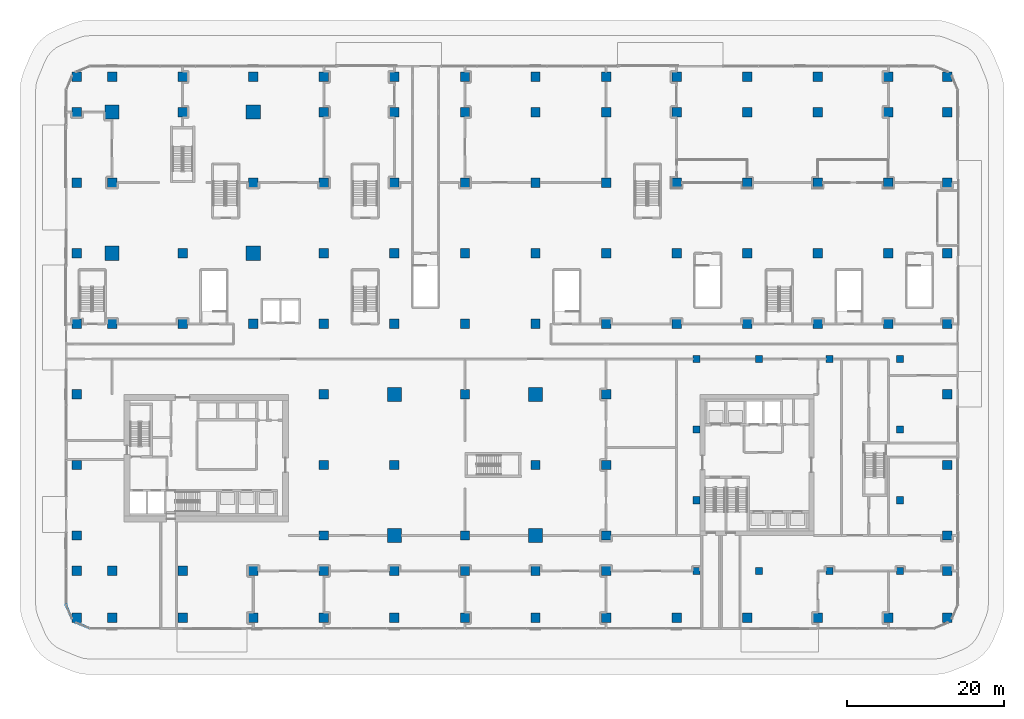
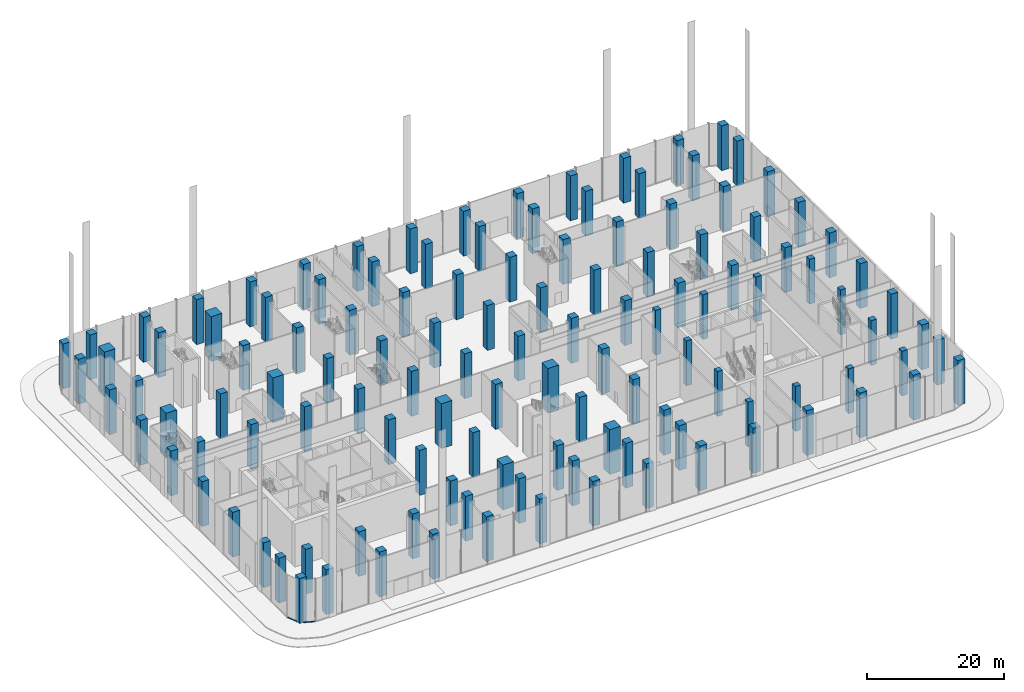
# One storey, part 1 of 42: 125 columns, 2 members, 2 elements without a shape of their own.
"""IFC4 building model written with IfcOpenShell, lengths in metres."""

import ifcopenshell
import ifcopenshell.guid

model = None  # the IFC model being written
_history = None  # IfcOwnerHistory: only IFC2X3 demands one
_inside = {}  # id of a spatial element -> (the spatial element, [elements in it])
_under = {}  # id of a project, library or spatial element -> (it, [spatial elements below it])
_declared = {}  # id of a project -> (the project, [libraries it declares])
_typed = {}  # id of a type object -> (the type object, [elements of that type])
_made_of = {}  # id of a material, layer set ... -> (it, [elements and type objects made of it])


def new_model(schema):
    """Start an empty IFC model of exactly this schema.

    Asked for "IFC4X3", IfcOpenShell would pick the latest addendum, in which some entities
    have other attributes; the version numbers below select the first issue.
    IFC2X3 requires an IfcOwnerHistory on every rooted entity: one is made here for all.
    """
    global model, _history
    if schema == "IFC4X3":
        model = ifcopenshell.file(schema_version=(4, 3, 0, 0))
    else:
        model = ifcopenshell.file(schema=schema)
    _inside.clear()
    _under.clear()
    _declared.clear()
    _typed.clear()
    _made_of.clear()
    _history = None
    if model.schema == "IFC2X3":
        org = make("IfcOrganization", Name="unknown")
        user = make(
            "IfcPersonAndOrganization",
            ThePerson=make("IfcPerson", FamilyName="unknown"),
            TheOrganization=org,
        )
        app = make(
            "IfcApplication",
            ApplicationDeveloper=org,
            Version="unknown",
            ApplicationFullName="unknown",
            ApplicationIdentifier="unknown",
        )
        _history = make(
            "IfcOwnerHistory",
            OwningUser=user,
            OwningApplication=app,
            ChangeAction="ADDED",
            CreationDate=0,
        )
    return model


def make(cls, **values):
    """One entity of the class cls with the attributes given. An attribute that is None is left unset."""
    return model.create_entity(
        cls, **{name: value for name, value in values.items() if value is not None}
    )


def rooted(cls, **values):
    """An entity with a GlobalId (a new one), such as an element, a storey or a relation."""
    return make(cls, GlobalId=ifcopenshell.guid.new(), OwnerHistory=_history, **values)


def si_unit(unit_type, name, prefix=None):
    """IfcSIUnit, for example si_unit("LENGTHUNIT", "METRE", prefix="MILLI")."""
    return make("IfcSIUnit", UnitType=unit_type, Prefix=prefix, Name=name)


def assignment(units):
    """IfcUnitAssignment: the units of a project."""
    return None if units is None else make("IfcUnitAssignment", Units=units)


def point(xyz):
    """IfcCartesianPoint."""
    return None if xyz is None else make("IfcCartesianPoint", Coordinates=xyz)


def direction(xyz):
    """IfcDirection."""
    return None if xyz is None else make("IfcDirection", DirectionRatios=xyz)


def frame(location, z_axis=None, x_axis=None):
    """IfcAxis2Placement3D, a coordinate frame: its origin and axes. An axis left out is left unset."""
    return make(
        "IfcAxis2Placement3D",
        Location=point(location),
        Axis=direction(z_axis),
        RefDirection=direction(x_axis),
    )


def frame_2d(location, x_axis=None):
    """IfcAxis2Placement2D, a coordinate frame in the plane: its origin and x axis."""
    return make(
        "IfcAxis2Placement2D", Location=point(location), RefDirection=direction(x_axis)
    )


def origin():
    """The frame at (0, 0, 0) with its axes left unset."""
    return frame((0.0, 0.0, 0.0))


def origin_2d():
    """The frame at (0, 0) in the plane with its x axis left unset."""
    return frame_2d((0.0, 0.0))


def place(relative_to, where):
    """IfcLocalPlacement: puts the frame where relative to a parent placement (None: the world)."""
    return make(
        "IfcLocalPlacement", PlacementRelTo=relative_to, RelativePlacement=where
    )


def context(
    kind, dimensions, precision=None, world=None, true_north=None, identifier=None
):
    """IfcGeometricRepresentationContext, for example the 3D "Model" context."""
    return make(
        "IfcGeometricRepresentationContext",
        ContextIdentifier=identifier,
        ContextType=kind,
        CoordinateSpaceDimension=dimensions,
        Precision=precision,
        WorldCoordinateSystem=world,
        TrueNorth=true_north,
    )


def subcontext(parent, identifier, kind, view, scale=None):
    """IfcGeometricRepresentationSubContext, for example "Body" below "Model"."""
    return make(
        "IfcGeometricRepresentationSubContext",
        ContextIdentifier=identifier,
        ContextType=kind,
        ParentContext=parent,
        TargetScale=scale,
        TargetView=view,
    )


def project(units=None, contexts=None):
    """IfcProject with its units and contexts."""
    return rooted(
        "IfcProject",
        Name="project",
        RepresentationContexts=contexts,
        UnitsInContext=assignment(units),
    )


def spatial(cls, under=None, at=None, **own):
    """A site, building, storey or space (cls), placed at a placement, below another one or the project."""
    s = rooted(cls, ObjectPlacement=at, **own)
    if under is not None:
        _under.setdefault(under.id(), (under, []))[1].append(s)
    return s


def profile(cls, at=None, kind="AREA", **sizes):
    """A parametric profile (cls). Its sizes go by their IFC names, for example OverallWidth=200.0."""
    return make(cls, ProfileType=kind, Position=at, **sizes)


def rectangle(**sizes):
    """IfcRectangleProfileDef."""
    return profile("IfcRectangleProfileDef", **sizes)


def extrude(swept, where, along, depth):
    """IfcExtrudedAreaSolid: the profile swept, set in the frame where, extruded along a direction by depth."""
    return make(
        "IfcExtrudedAreaSolid",
        SweptArea=swept,
        Position=where,
        ExtrudedDirection=direction(along),
        Depth=depth,
    )


def shape(context_of_items, identifier, shape_type, items):
    """IfcShapeRepresentation: the items that make up one representation, for example the "Body"."""
    return make(
        "IfcShapeRepresentation",
        ContextOfItems=context_of_items,
        RepresentationIdentifier=identifier,
        RepresentationType=shape_type,
        Items=items,
    )


def material(Name=None, Category=None):
    """IfcMaterial."""
    return make("IfcMaterial", Name=Name, Category=Category)


def layer(
    of_material, thickness, ventilated=None, Name=None, Category=None, Priority=None
):
    """IfcMaterialLayer: one layer of a wall or slab, of a material (None: an air gap)."""
    return make(
        "IfcMaterialLayer",
        Material=of_material,
        LayerThickness=thickness,
        IsVentilated=ventilated,
        Name=Name,
        Category=Category,
        Priority=Priority,
    )


def layer_set(layers, Name=None):
    """IfcMaterialLayerSet."""
    return make("IfcMaterialLayerSet", MaterialLayers=layers, LayerSetName=Name)


def material_profile(
    of_material, cross_section, Name=None, Category=None, Priority=None
):
    """IfcMaterialProfile: a cross section and its material."""
    return make(
        "IfcMaterialProfile",
        Name=Name,
        Material=of_material,
        Profile=cross_section,
        Priority=Priority,
        Category=Category,
    )


def profile_set(profiles, Name=None, composite=None):
    """IfcMaterialProfileSet."""
    return make(
        "IfcMaterialProfileSet",
        Name=Name,
        MaterialProfiles=profiles,
        CompositeProfile=composite,
    )


def made_of(thing, what):
    """Note that an element or type object is made of a material, layer set ...; save() writes the relation."""
    if what is not None:
        _made_of.setdefault(what.id(), (what, []))[1].append(thing)
    return thing


def type_object(cls, material=None, **own):
    """A type object (cls), such as IfcWallType, which elements share."""
    return made_of(rooted(cls, **own), material)


def element(
    cls,
    number,
    at=None,
    inside=None,
    cuts=None,
    type_object=None,
    material=None,
    context=None,
    identifier="Body",
    shape_type=None,
    held_by="IfcProductDefinitionShape",
    body=None,
    shapes=None,
    **own,
):
    """One element of the class cls, such as IfcWall. Its Tag is "e" and its number.

    at: its placement. inside: the storey or other place that contains it. cuts: it is an
    opening in that element (IfcRelVoidsElement). A single representation is given by context,
    identifier, shape_type and body (its items); several are given by shapes. held_by: the class
    of the entity that holds the representations. save() writes the other relations.
    """
    e = rooted(cls, Tag="e%d" % number, ObjectPlacement=at, **own)
    if body is not None:
        shapes = [shape(context, identifier, shape_type, body)]
    if shapes is not None:
        e.Representation = make(held_by, Representations=shapes)
    if inside is not None:
        _inside.setdefault(inside.id(), (inside, []))[1].append(e)
    if cuts is not None:
        rooted(
            "IfcRelVoidsElement", RelatingBuildingElement=cuts, RelatedOpeningElement=e
        )
    if type_object is not None:
        _typed.setdefault(type_object.id(), (type_object, []))[1].append(e)
    return made_of(e, material)


def aggregate(whole, parts):
    """IfcRelAggregates: a whole, such as a stair, and the parts it consists of."""
    return rooted("IfcRelAggregates", RelatingObject=whole, RelatedObjects=parts)


def save(model, path):
    """Write the relations noted so far, then the file.

    IfcRelAggregates (storeys below a building ...), IfcRelContainedInSpatialStructure (elements
    in a storey), IfcRelDefinesByType, IfcRelAssociatesMaterial and IfcRelDeclares: one each for
    every whole, place, type object, material and project.
    """
    for whole, parts in _under.values():
        aggregate(whole, parts)
    for where, things in _inside.values():
        rooted(
            "IfcRelContainedInSpatialStructure",
            RelatedElements=things,
            RelatingStructure=where,
        )
    for kind, things in _typed.values():
        rooted("IfcRelDefinesByType", RelatedObjects=things, RelatingType=kind)
    for what, things in _made_of.values():
        rooted("IfcRelAssociatesMaterial", RelatedObjects=things, RelatingMaterial=what)
    for by, libraries in _declared.values():
        rooted("IfcRelDeclares", RelatingContext=by, RelatedDefinitions=libraries)
    model.write(path)


model = new_model("IFC4")

# Units and contexts
model_context = context("Model", 3, precision=1e-05, world=origin(), true_north=direction((0.0, 1.0)))
body_context = subcontext(model_context, "Body", "Model", "MODEL_VIEW")
ifc_project = project(units=[si_unit("LENGTHUNIT", "METRE"), si_unit("AREAUNIT", "SQUARE_METRE"), si_unit("VOLUMEUNIT", "CUBIC_METRE"), si_unit("PLANEANGLEUNIT", "RADIAN"), si_unit("MASSUNIT", "GRAM", prefix="KILO")], contexts=[model_context])

# Site, building, storey
site_placement = place(None, origin())
site = spatial("IfcSite", under=ifc_project, at=site_placement, CompositionType="ELEMENT")
building_placement = place(site_placement, origin())
building = spatial("IfcBuilding", under=site, at=building_placement, Name="Plateau Cross Towers", CompositionType="ELEMENT")
storey_placement = place(building_placement, origin())
storey = spatial("IfcBuildingStorey", under=building, at=storey_placement, Name="L00", CompositionType="ELEMENT", Elevation=0.0)

# Columns
ifc_material_1 = material(Name="Concrete C60/75", Category="concrete")
ifc_material_profile_1 = material_profile(ifc_material_1, rectangle(XDim=0.89990234375, YDim=0.89990234375, at=origin_2d()), Name="RC 900x900")
ifc_profile_set_1 = profile_set([ifc_material_profile_1], Name="Concrete C60/75")
column_type_1 = type_object("IfcColumnType", Name="Office column RC 900x900", PredefinedType="COLUMN", material=ifc_profile_set_1)
for number, where, z_axis, x_axis, name in (
    (1, (74.550048828125, -4.5, 0.0), (0.0, 0.0, 1.0), (1.0, 0.0, 0.0), "B-C746_-45 L00"),
    (2, (82.5, -4.5, 0.0), (0.0, 0.0, 1.0), (1.0, 0.0, 0.0), "B-C825_-45 L00"),
    (3, (91.5, -4.5, 0.0), (0.0, 0.0, 1.0), (1.0, 0.0, 0.0), "B-C915_-45 L00"),
    (4, (100.5, -4.5, 0.0), (0.0, 0.0, 1.0), (1.0, 0.0, 0.0), "B-C1005_-45 L00"),
    (5, (100.5, 4.5, 0.0), (0.0, 0.0, 1.0), (1.0, 0.0, 0.0), "B-C1005_45 L00"),
    (6, (100.5, 13.5, 0.0), (0.0, 0.0, 1.0), (1.0, 0.0, 0.0), "B-C1005_135 L00"),
    (7, (100.5, 22.5, 0.0), (0.0, 0.0, 1.0), (1.0, 0.0, 0.0), "B-C1005_225 L00"),
    (8, (91.5, 22.5, 0.0), (0.0, 0.0, 1.0), (1.0, 0.0, 0.0), "B-C915_225 L00"),
    (9, (82.5, 22.5, 0.0), (0.0, 0.0, 1.0), (1.0, 0.0, 0.0), "B-C825_225 L00"),
    (10, (74.550048828125, 22.5, 0.0), (0.0, 0.0, 1.0), (1.0, 0.0, 0.0), "B-C746_225 L00"),
    (11, (74.550048828125, 13.5, 0.0), (0.0, 0.0, 1.0), (1.0, 0.0, 0.0), "B-C746_135 L00"),
    (12, (74.550048828125, 4.5, 0.0), (0.0, 0.0, 1.0), (1.0, 0.0, 0.0), "B-C746_45 L00"),
):
    element("IfcColumn", number, at=place(storey_placement, frame(where, z_axis=z_axis, x_axis=x_axis)), inside=storey, type_object=column_type_1, Name=name, PredefinedType="COLUMN", context=body_context, shape_type="SweptSolid", body=[
        extrude(rectangle(XDim=0.89990234375, YDim=0.89990234375, at=origin_2d()), origin(), (0.0, 0.0, 1.0), 8.0),
    ])
ifc_material_profile_2 = material_profile(ifc_material_1, rectangle(XDim=1.199951171875, YDim=1.199951171875, at=origin_2d()), Name="RC 1200x1200")
ifc_profile_set_2 = profile_set([ifc_material_profile_2], Name="Concrete C60/75")
column_type_2 = type_object("IfcColumnType", Name="Podium column RC 1200x1200", PredefinedType="COLUMN", material=ifc_profile_set_2)
for number, where, z_axis, x_axis, name in (
    (13, (-4.5, -10.5, 0.0), (0.0, 0.0, 1.0), (1.0, 0.0, 0.0), "P-C-45_-105 L00"),
    (14, (-4.5, -4.5, 0.0), (0.0, 0.0, 1.0), (1.0, 0.0, 0.0), "P-C-45_-45 L00"),
    (15, (-4.5, 0.0, 0.0), (0.0, 0.0, 1.0), (1.0, 0.0, 0.0), "P-C-45_0 L00"),
    (16, (-4.5, 9.0, 0.0), (0.0, 0.0, 1.0), (1.0, 0.0, 0.0), "P-C-45_90 L00"),
    (17, (-4.5, 18.0, 0.0), (0.0, 0.0, 1.0), (1.0, 0.0, 0.0), "P-C-45_180 L00"),
    (18, (-4.5, 27.0, 0.0), (0.0, 0.0, 1.0), (1.0, 0.0, 0.0), "P-C-45_270 L00"),
    (19, (-4.5, 36.0, 0.0), (0.0, 0.0, 1.0), (1.0, 0.0, 0.0), "P-C-45_360 L00"),
    (20, (-4.5, 45.0, 0.0), (0.0, 0.0, 1.0), (1.0, 0.0, 0.0), "P-C-45_450 L00"),
    (21, (-4.5, 54.0, 0.0), (0.0, 0.0, 1.0), (1.0, 0.0, 0.0), "P-C-45_540 L00"),
    (22, (-4.5, 58.5, 0.0), (0.0, 0.0, 1.0), (1.0, 0.0, 0.0), "P-C-45_585 L00"),
    (23, (0.0, -10.5, 0.0), (0.0, 0.0, 1.0), (1.0, 0.0, 0.0), "P-C0_-105 L00"),
    (24, (0.0, -4.5, 0.0), (0.0, 0.0, 1.0), (1.0, 0.0, 0.0), "P-C0_-45 L00"),
    (25, (0.0, 27.0, 0.0), (0.0, 0.0, 1.0), (1.0, 0.0, 0.0), "P-C0_270 L00"),
    (26, (0.0, 45.0, 0.0), (0.0, 0.0, 1.0), (1.0, 0.0, 0.0), "P-C0_450 L00"),
    (27, (0.0, 58.5, 0.0), (0.0, 0.0, 1.0), (1.0, 0.0, 0.0), "P-C0_585 L00"),
    (28, (9.0, -10.5, 0.0), (0.0, 0.0, 1.0), (1.0, 0.0, 0.0), "P-C90_-105 L00"),
    (29, (9.0, -4.5, 0.0), (0.0, 0.0, 1.0), (1.0, 0.0, 0.0), "P-C90_-45 L00"),
    (30, (9.0, 27.0, 0.0), (0.0, 0.0, 1.0), (1.0, 0.0, 0.0), "P-C90_270 L00"),
    (31, (9.0, 36.0, 0.0), (0.0, 0.0, 1.0), (1.0, 0.0, 0.0), "P-C90_360 L00"),
    (32, (9.0, 54.0, 0.0), (0.0, 0.0, 1.0), (1.0, 0.0, 0.0), "P-C90_540 L00"),
    (33, (9.0, 58.5, 0.0), (0.0, 0.0, 1.0), (1.0, 0.0, 0.0), "P-C90_585 L00"),
    (34, (18.0, -10.5, 0.0), (0.0, 0.0, 1.0), (1.0, 0.0, 0.0), "P-C180_-105 L00"),
    (35, (18.0, -4.5, 0.0), (0.0, 0.0, 1.0), (1.0, 0.0, 0.0), "P-C180_-45 L00"),
    (36, (18.0, 27.0, 0.0), (0.0, 0.0, 1.0), (1.0, 0.0, 0.0), "P-C180_270 L00"),
    (37, (18.0, 45.0, 0.0), (0.0, 0.0, 1.0), (1.0, 0.0, 0.0), "P-C180_450 L00"),
    (38, (18.0, 58.5, 0.0), (0.0, 0.0, 1.0), (1.0, 0.0, 0.0), "P-C180_585 L00"),
    (39, (27.0, -10.5, 0.0), (0.0, 0.0, 1.0), (1.0, 0.0, 0.0), "P-C270_-105 L00"),
    (40, (27.0, -4.5, 0.0), (0.0, 0.0, 1.0), (1.0, 0.0, 0.0), "P-C270_-45 L00"),
    (41, (27.0, 0.0, 0.0), (0.0, 0.0, 1.0), (1.0, 0.0, 0.0), "P-C270_0 L00"),
    (42, (27.0, 9.0, 0.0), (0.0, 0.0, 1.0), (1.0, 0.0, 0.0), "P-C270_90 L00"),
    (43, (27.0, 18.0, 0.0), (0.0, 0.0, 1.0), (1.0, 0.0, 0.0), "P-C270_180 L00"),
    (44, (27.0, 27.0, 0.0), (0.0, 0.0, 1.0), (1.0, 0.0, 0.0), "P-C270_270 L00"),
    (45, (27.0, 36.0, 0.0), (0.0, 0.0, 1.0), (1.0, 0.0, 0.0), "P-C270_360 L00"),
    (46, (27.0, 45.0, 0.0), (0.0, 0.0, 1.0), (1.0, 0.0, 0.0), "P-C270_450 L00"),
    (47, (27.0, 54.0, 0.0), (0.0, 0.0, 1.0), (1.0, 0.0, 0.0), "P-C270_540 L00"),
    (48, (27.0, 58.5, 0.0), (0.0, 0.0, 1.0), (1.0, 0.0, 0.0), "P-C270_585 L00"),
    (49, (36.0, -10.5, 0.0), (0.0, 0.0, 1.0), (1.0, 0.0, 0.0), "P-C360_-105 L00"),
    (50, (36.0, -4.5, 0.0), (0.0, 0.0, 1.0), (1.0, 0.0, 0.0), "P-C360_-45 L00"),
    (51, (36.0, 9.0, 0.0), (0.0, 0.0, 1.0), (1.0, 0.0, 0.0), "P-C360_90 L00"),
    (52, (36.0, 27.0, 0.0), (0.0, 0.0, 1.0), (1.0, 0.0, 0.0), "P-C360_270 L00"),
    (53, (36.0, 36.0, 0.0), (0.0, 0.0, 1.0), (1.0, 0.0, 0.0), "P-C360_360 L00"),
    (54, (36.0, 45.0, 0.0), (0.0, 0.0, 1.0), (1.0, 0.0, 0.0), "P-C360_450 L00"),
    (55, (36.0, 54.0, 0.0), (0.0, 0.0, 1.0), (1.0, 0.0, 0.0), "P-C360_540 L00"),
    (56, (36.0, 58.5, 0.0), (0.0, 0.0, 1.0), (1.0, 0.0, 0.0), "P-C360_585 L00"),
    (57, (45.0, -10.5, 0.0), (0.0, 0.0, 1.0), (1.0, 0.0, 0.0), "P-C450_-105 L00"),
    (58, (45.0, -4.5, 0.0), (0.0, 0.0, 1.0), (1.0, 0.0, 0.0), "P-C450_-45 L00"),
    (59, (45.0, 0.0, 0.0), (0.0, 0.0, 1.0), (1.0, 0.0, 0.0), "P-C450_0 L00"),
    (60, (45.0, 18.0, 0.0), (0.0, 0.0, 1.0), (1.0, 0.0, 0.0), "P-C450_180 L00"),
    (61, (45.0, 27.0, 0.0), (0.0, 0.0, 1.0), (1.0, 0.0, 0.0), "P-C450_270 L00"),
    (62, (45.0, 36.0, 0.0), (0.0, 0.0, 1.0), (1.0, 0.0, 0.0), "P-C450_360 L00"),
    (63, (45.0, 45.0, 0.0), (0.0, 0.0, 1.0), (1.0, 0.0, 0.0), "P-C450_450 L00"),
    (64, (45.0, 54.0, 0.0), (0.0, 0.0, 1.0), (1.0, 0.0, 0.0), "P-C450_540 L00"),
    (65, (45.0, 58.5, 0.0), (0.0, 0.0, 1.0), (1.0, 0.0, 0.0), "P-C450_585 L00"),
    (66, (54.0, -10.5, 0.0), (0.0, 0.0, 1.0), (1.0, 0.0, 0.0), "P-C540_-105 L00"),
    (67, (54.0, -4.5, 0.0), (0.0, 0.0, 1.0), (1.0, 0.0, 0.0), "P-C540_-45 L00"),
    (68, (54.0, 9.0, 0.0), (0.0, 0.0, 1.0), (1.0, 0.0, 0.0), "P-C540_90 L00"),
    (69, (54.0, 27.0, 0.0), (0.0, 0.0, 1.0), (1.0, 0.0, 0.0), "P-C540_270 L00"),
    (70, (54.0, 36.0, 0.0), (0.0, 0.0, 1.0), (1.0, 0.0, 0.0), "P-C540_360 L00"),
    (71, (54.0, 45.0, 0.0), (0.0, 0.0, 1.0), (1.0, 0.0, 0.0), "P-C540_450 L00"),
    (72, (54.0, 54.0, 0.0), (0.0, 0.0, 1.0), (1.0, 0.0, 0.0), "P-C540_540 L00"),
    (73, (54.0, 58.5, 0.0), (0.0, 0.0, 1.0), (1.0, 0.0, 0.0), "P-C540_585 L00"),
    (74, (63.0, -10.5, 0.0), (0.0, 0.0, 1.0), (1.0, 0.0, 0.0), "P-C630_-105 L00"),
    (75, (63.0, -4.5, 0.0), (0.0, 0.0, 1.0), (1.0, 0.0, 0.0), "P-C630_-45 L00"),
    (76, (63.0, 0.0, 0.0), (0.0, 0.0, 1.0), (1.0, 0.0, 0.0), "P-C630_0 L00"),
    (77, (63.0, 9.0, 0.0), (0.0, 0.0, 1.0), (1.0, 0.0, 0.0), "P-C630_90 L00"),
    (78, (63.0, 18.0, 0.0), (0.0, 0.0, 1.0), (1.0, 0.0, 0.0), "P-C630_180 L00"),
    (79, (63.0, 27.0, 0.0), (0.0, 0.0, 1.0), (1.0, 0.0, 0.0), "P-C630_270 L00"),
    (80, (63.0, 36.0, 0.0), (0.0, 0.0, 1.0), (1.0, 0.0, 0.0), "P-C630_360 L00"),
    (81, (63.0, 45.0, 0.0), (0.0, 0.0, 1.0), (1.0, 0.0, 0.0), "P-C630_450 L00"),
    (82, (63.0, 54.0, 0.0), (0.0, 0.0, 1.0), (1.0, 0.0, 0.0), "P-C630_540 L00"),
    (83, (63.0, 58.5, 0.0), (0.0, 0.0, 1.0), (1.0, 0.0, 0.0), "P-C630_585 L00"),
    (84, (72.0, -10.5, 0.0), (0.0, 0.0, 1.0), (1.0, 0.0, 0.0), "P-C720_-105 L00"),
    (85, (72.0, 27.0, 0.0), (0.0, 0.0, 1.0), (1.0, 0.0, 0.0), "P-C720_270 L00"),
    (86, (72.0, 36.0, 0.0), (0.0, 0.0, 1.0), (1.0, 0.0, 0.0), "P-C720_360 L00"),
    (87, (72.0, 45.0, 0.0), (0.0, 0.0, 1.0), (1.0, 0.0, 0.0), "P-C720_450 L00"),
    (88, (72.0, 54.0, 0.0), (0.0, 0.0, 1.0), (1.0, 0.0, 0.0), "P-C720_540 L00"),
    (89, (72.0, 58.5, 0.0), (0.0, 0.0, 1.0), (1.0, 0.0, 0.0), "P-C720_585 L00"),
    (90, (81.0, -10.5, 0.0), (0.0, 0.0, 1.0), (1.0, 0.0, 0.0), "P-C810_-105 L00"),
    (91, (81.0, 27.0, 0.0), (0.0, 0.0, 1.0), (1.0, 0.0, 0.0), "P-C810_270 L00"),
    (92, (81.0, 36.0, 0.0), (0.0, 0.0, 1.0), (1.0, 0.0, 0.0), "P-C810_360 L00"),
    (93, (81.0, 45.0, 0.0), (0.0, 0.0, 1.0), (1.0, 0.0, 0.0), "P-C810_450 L00"),
    (94, (81.0, 54.0, 0.0), (0.0, 0.0, 1.0), (1.0, 0.0, 0.0), "P-C810_540 L00"),
    (95, (81.0, 58.5, 0.0), (0.0, 0.0, 1.0), (1.0, 0.0, 0.0), "P-C810_585 L00"),
    (96, (90.0, -10.5, 0.0), (0.0, 0.0, 1.0), (1.0, 0.0, 0.0), "P-C900_-105 L00"),
    (97, (90.0, 27.0, 0.0), (0.0, 0.0, 1.0), (1.0, 0.0, 0.0), "P-C900_270 L00"),
    (98, (90.0, 36.0, 0.0), (0.0, 0.0, 1.0), (1.0, 0.0, 0.0), "P-C900_360 L00"),
    (99, (90.0, 45.0, 0.0), (0.0, 0.0, 1.0), (1.0, 0.0, 0.0), "P-C900_450 L00"),
    (100, (90.0, 54.0, 0.0), (0.0, 0.0, 1.0), (1.0, 0.0, 0.0), "P-C900_540 L00"),
    (101, (90.0, 58.5, 0.0), (0.0, 0.0, 1.0), (1.0, 0.0, 0.0), "P-C900_585 L00"),
    (102, (99.0, -10.5, 0.0), (0.0, 0.0, 1.0), (1.0, 0.0, 0.0), "P-C990_-105 L00"),
    (103, (99.0, 27.0, 0.0), (0.0, 0.0, 1.0), (1.0, 0.0, 0.0), "P-C990_270 L00"),
    (104, (99.0, 36.0, 0.0), (0.0, 0.0, 1.0), (1.0, 0.0, 0.0), "P-C990_360 L00"),
    (105, (99.0, 45.0, 0.0), (0.0, 0.0, 1.0), (1.0, 0.0, 0.0), "P-C990_450 L00"),
    (106, (99.0, 54.0, 0.0), (0.0, 0.0, 1.0), (1.0, 0.0, 0.0), "P-C990_540 L00"),
    (107, (99.0, 58.5, 0.0), (0.0, 0.0, 1.0), (1.0, 0.0, 0.0), "P-C990_585 L00"),
    (108, (106.5, -10.5, 0.0), (0.0, 0.0, 1.0), (1.0, 0.0, 0.0), "P-C1065_-105 L00"),
    (109, (106.5, -4.5, 0.0), (0.0, 0.0, 1.0), (1.0, 0.0, 0.0), "P-C1065_-45 L00"),
    (110, (106.5, 0.0, 0.0), (0.0, 0.0, 1.0), (1.0, 0.0, 0.0), "P-C1065_0 L00"),
    (111, (106.5, 9.0, 0.0), (0.0, 0.0, 1.0), (1.0, 0.0, 0.0), "P-C1065_90 L00"),
    (112, (106.5, 18.0, 0.0), (0.0, 0.0, 1.0), (1.0, 0.0, 0.0), "P-C1065_180 L00"),
    (113, (106.5, 27.0, 0.0), (0.0, 0.0, 1.0), (1.0, 0.0, 0.0), "P-C1065_270 L00"),
    (114, (106.5, 36.0, 0.0), (0.0, 0.0, 1.0), (1.0, 0.0, 0.0), "P-C1065_360 L00"),
    (115, (106.5, 45.0, 0.0), (0.0, 0.0, 1.0), (1.0, 0.0, 0.0), "P-C1065_450 L00"),
    (116, (106.5, 54.0, 0.0), (0.0, 0.0, 1.0), (1.0, 0.0, 0.0), "P-C1065_540 L00"),
    (117, (106.5, 58.5, 0.0), (0.0, 0.0, 1.0), (1.0, 0.0, 0.0), "P-C1065_585 L00"),
):
    element("IfcColumn", number, at=place(storey_placement, frame(where, z_axis=z_axis, x_axis=x_axis)), inside=storey, type_object=column_type_2, Name=name, PredefinedType="COLUMN", context=body_context, shape_type="SweptSolid", body=[
        extrude(rectangle(XDim=1.199951171875, YDim=1.199951171875, at=origin_2d()), origin(), (0.0, 0.0, 1.0), 8.0),
    ])
ifc_material_profile_3 = material_profile(ifc_material_1, rectangle(XDim=1.800048828125, YDim=1.800048828125, at=origin_2d()), Name="RC 1800x1800")
ifc_profile_set_3 = profile_set([ifc_material_profile_3], Name="Concrete C60/75")
column_type_3 = type_object("IfcColumnType", Name="Transfer column RC 1800x1800", PredefinedType="COLUMN", material=ifc_profile_set_3)
for number, where, z_axis, x_axis, name in (
    (118, (0.0, 36.0, 0.0), (0.0, 0.0, 1.0), (1.0, 0.0, 0.0), "P-C0_360 L00"),
    (119, (0.0, 54.0, 0.0), (0.0, 0.0, 1.0), (1.0, 0.0, 0.0), "P-C0_540 L00"),
    (120, (18.0, 36.0, 0.0), (0.0, 0.0, 1.0), (1.0, 0.0, 0.0), "P-C180_360 L00"),
    (121, (18.0, 54.0, 0.0), (0.0, 0.0, 1.0), (1.0, 0.0, 0.0), "P-C180_540 L00"),
    (122, (36.0, 0.0, 0.0), (0.0, 0.0, 1.0), (1.0, 0.0, 0.0), "P-C360_0 L00"),
    (123, (36.0, 18.0, 0.0), (0.0, 0.0, 1.0), (1.0, 0.0, 0.0), "P-C360_180 L00"),
    (124, (54.0, 0.0, 0.0), (0.0, 0.0, 1.0), (1.0, 0.0, 0.0), "P-C540_0 L00"),
    (125, (54.0, 18.0, 0.0), (0.0, 0.0, 1.0), (1.0, 0.0, 0.0), "P-C540_180 L00"),
):
    element("IfcColumn", number, at=place(storey_placement, frame(where, z_axis=z_axis, x_axis=x_axis)), inside=storey, type_object=column_type_3, Name=name, PredefinedType="COLUMN", context=body_context, shape_type="SweptSolid", body=[
        extrude(rectangle(XDim=1.800048828125, YDim=1.800048828125, at=origin_2d()), origin(), (0.0, 0.0, 1.0), 8.0),
    ])

# Curtain wall, member
ifc_material_2 = material(Name="Dark low-iron laminated glass", Category="glass")
ifc_layer = layer(ifc_material_2, 0.300048828125)
ifc_layer_set = layer_set([ifc_layer], Name="Dark low-iron laminated glass")
curtain_wall_type = type_object("IfcCurtainWallType", Name="Curtain wall structural silicone CW-C", PredefinedType="NOTDEFINED", material=ifc_layer_set)
curtain_wall_1_placement = place(storey_placement, origin())
curtain_wall_1 = element("IfcCurtainWall", 126, at=curtain_wall_1_placement, inside=storey, type_object=curtain_wall_type, Name="ENV/P/L00/P-58_-88", PredefinedType="NOTDEFINED")
ifc_material_3 = material(Name="Black anodised aluminium", Category="aluminium")
ifc_material_profile_4 = material_profile(ifc_material_3, rectangle(XDim=0.10009765625, YDim=0.14990234375, at=origin_2d()), Name="TRANSOM 100x150")
ifc_profile_set_4 = profile_set([ifc_material_profile_4], Name="Black anodised aluminium")
member_type = type_object("IfcMemberType", Name="Transom 100x150 structural silicone", PredefinedType="USERDEFINED", material=ifc_profile_set_4)
member_1_placement = place(storey_placement, frame((-5.85009765625, -8.85009765625, 0.074951171875), z_axis=(0.38270599329, -0.923870187147, 0.0), x_axis=(0.923870187147, 0.38270599329, 0.0)))
member_1 = element("IfcMember", 127, at=member_1_placement, type_object=member_type, Name="CW-C transom", ObjectType="TRANSOM", PredefinedType="USERDEFINED", context=body_context, shape_type="SweptSolid", body=[
    extrude(rectangle(XDim=0.10009765625, YDim=0.14990234375, at=origin_2d()), origin(), (0.0, 0.0, 1.0), 1.907470703125),
])
aggregate(curtain_wall_1, [member_1])

curtain_wall_2_placement = place(storey_placement, origin())
curtain_wall_2 = element("IfcCurtainWall", 128, at=curtain_wall_2_placement, inside=storey, type_object=curtain_wall_type, Name="ENV/P/L00/P-46_-111", PredefinedType="NOTDEFINED")
member_2_placement = place(storey_placement, frame((-4.6123046875, -11.1201171875, 0.074951171875), z_axis=(0.923870187147, -0.38270599329, 0.0), x_axis=(0.38270599329, 0.923870187147, 0.0)))
member_2 = element("IfcMember", 129, at=member_2_placement, type_object=member_type, Name="CW-C transom", ObjectType="TRANSOM", PredefinedType="USERDEFINED", context=body_context, shape_type="SweptSolid", body=[
    extrude(rectangle(XDim=0.10009765625, YDim=0.14990234375, at=origin_2d()), origin(), (0.0, 0.0, 1.0), 1.907470703125),
])
aggregate(curtain_wall_2, [member_2])

save(model, "model.ifc")
